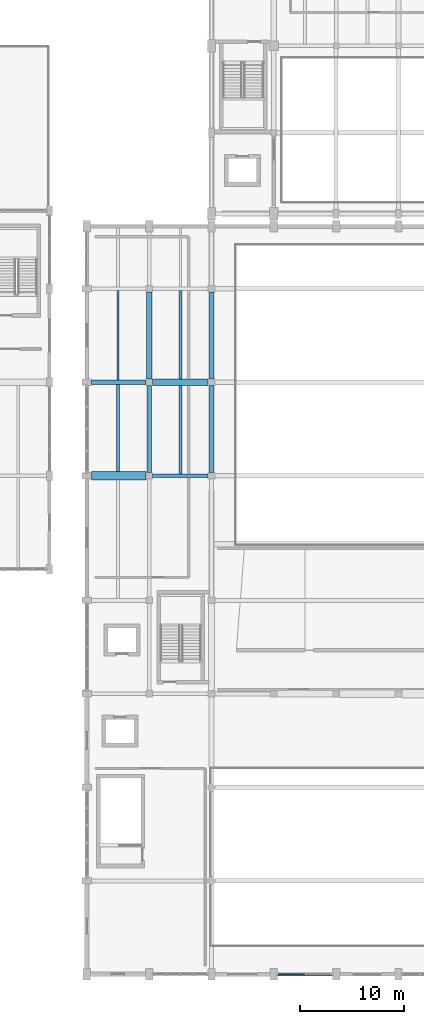
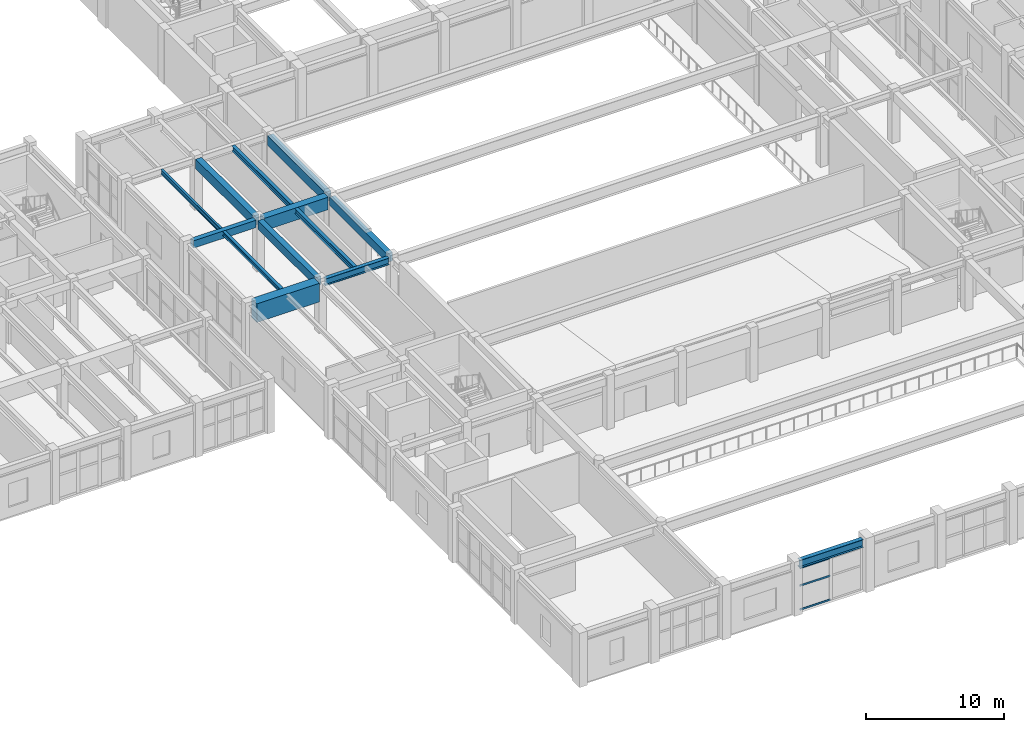
# One storey, part 19 of 80: 13 beams, 3 members, 1 element without a shape of its own.
"""IFC4 building model written with IfcOpenShell, lengths in metres."""

from ifc_helpers import new_model, si_unit, direction, frame, origin, origin_2d, place, context, subcontext, project, spatial, rectangle, hollow_rectangle, i_section, extrude, material, layer, layer_set, material_profile, profile_set, type_object, element, aggregate, save


model = new_model("IFC4")

# Units and contexts
model_context = context("Model", 3, precision=1e-05, world=origin(), true_north=direction((0.0, 1.0)))
body_context = subcontext(model_context, "Body", "Model", "MODEL_VIEW")
ifc_project = project(units=[si_unit("LENGTHUNIT", "METRE"), si_unit("AREAUNIT", "SQUARE_METRE"), si_unit("VOLUMEUNIT", "CUBIC_METRE"), si_unit("PLANEANGLEUNIT", "RADIAN"), si_unit("MASSUNIT", "GRAM", prefix="KILO")], contexts=[model_context])

# Site, building, storey
site_placement = place(None, origin())
site = spatial("IfcSite", under=ifc_project, at=site_placement, CompositionType="ELEMENT")
building_placement = place(site_placement, origin())
building = spatial("IfcBuilding", under=site, at=building_placement, Name="Vaelkrest Opera House", CompositionType="ELEMENT")
storey_placement = place(building_placement, frame((0.0, 0.0, 15.0)))
storey = spatial("IfcBuildingStorey", under=building, at=storey_placement, Name="L03", CompositionType="ELEMENT", Elevation=15.0)

# Beams
ifc_material_1 = material(Name="Concrete C50/60", Category="concrete")
ifc_material_profile_1 = material_profile(ifc_material_1, rectangle(XDim=0.39990234375, YDim=0.64990234375, at=origin_2d()), Name="RCB400X650")
ifc_profile_set_1 = profile_set([ifc_material_profile_1], Name="Concrete C50/60")
beam_type_1 = type_object("IfcBeamType", Name="B01", PredefinedType="BEAM", material=ifc_profile_set_1)
beam_1_placement = place(storey_placement, frame((-29.550048828125, 1.199951171875, 4.179931640625), z_axis=(1.0, 0.0, 0.0), x_axis=(0.0, 1.0, 0.0)))
element("IfcBeam", 1, at=beam_1_placement, inside=storey, type_object=beam_type_1, Name="Beam BM-V1-L03-0453", PredefinedType="BEAM", context=body_context, shape_type="SweptSolid", body=[
    extrude(rectangle(XDim=0.39990234375, YDim=0.64990234375, at=origin_2d()), origin(), (0.0, 0.0, 1.0), 5.22509765625),
])
ifc_material_profile_2 = material_profile(ifc_material_1, rectangle(XDim=0.449951171875, YDim=0.75, at=origin_2d()), Name="RCB450X750")
ifc_profile_set_2 = profile_set([ifc_material_profile_2], Name="Concrete C50/60")
beam_type_2 = type_object("IfcBeamType", Name="B02", PredefinedType="BEAM", material=ifc_profile_set_2)
for number, where, z_axis, x_axis, name in (
    (2, (-24.0, -7.47509765625, 4.1298828125), (0.0, 1.0, 0.0), (-1.0, 0.0, 0.0), "Beam BM-V1-L03-0483"),
    (3, (-18.0, -7.47509765625, 4.1298828125), (0.0, 1.0, 0.0), (-1.0, 0.0, 0.0), "Beam BM-V1-L03-0491"),
):
    element("IfcBeam", number, at=place(storey_placement, frame(where, z_axis=z_axis, x_axis=x_axis)), inside=storey, type_object=beam_type_2, Name=name, PredefinedType="BEAM", context=body_context, shape_type="SweptSolid", body=[
        extrude(rectangle(XDim=0.449951171875, YDim=0.75, at=origin_2d()), origin(), (0.0, 0.0, 1.0), 8.35009765625),
    ])
ifc_material_profile_3 = material_profile(ifc_material_1, rectangle(XDim=0.5, YDim=0.85009765625, at=origin_2d()), Name="RCB500X850")
ifc_profile_set_3 = profile_set([ifc_material_profile_3], Name="Concrete C50/60")
beam_type_3 = type_object("IfcBeamType", Name="B03", PredefinedType="BEAM", material=ifc_profile_set_3)
for number, where, z_axis, x_axis, name in (
    (4, (-24.0, 1.52490234375, 4.080078125), (0.0, 1.0, 0.0), (-1.0, 0.0, 0.0), "Beam BM-V1-L03-0484"),
    (5, (-18.0, 1.52490234375, 4.080078125), (0.0, 1.0, 0.0), (-1.0, 0.0, 0.0), "Beam BM-V1-L03-0492"),
):
    element("IfcBeam", number, at=place(storey_placement, frame(where, z_axis=z_axis, x_axis=x_axis)), inside=storey, type_object=beam_type_3, Name=name, PredefinedType="BEAM", context=body_context, shape_type="SweptSolid", body=[
        extrude(rectangle(XDim=0.5, YDim=0.85009765625, at=origin_2d()), origin(), (0.0, 0.0, 1.0), 8.35009765625),
    ])
ifc_material_profile_4 = material_profile(ifc_material_1, rectangle(XDim=0.60009765625, YDim=1.10009765625, at=origin_2d()), Name="RCB600X1100")
ifc_profile_set_4 = profile_set([ifc_material_profile_4], Name="Concrete C50/60")
beam_type_4 = type_object("IfcBeamType", Name="B05", PredefinedType="BEAM", material=ifc_profile_set_4)
beam_2_placement = place(storey_placement, frame((-23.675048828125, 1.199951171875, 3.955078125), z_axis=(1.0, 0.0, 0.0), x_axis=(0.0, 1.0, 0.0)))
element("IfcBeam", 6, at=beam_2_placement, inside=storey, type_object=beam_type_4, Name="Beam BM-V1-L03-0454", PredefinedType="BEAM", context=body_context, shape_type="SweptSolid", body=[
    extrude(rectangle(XDim=0.60009765625, YDim=1.10009765625, at=origin_2d()), origin(), (0.0, 0.0, 1.0), 5.35009765625),
])
ifc_material_profile_5 = material_profile(ifc_material_1, rectangle(XDim=0.800048828125, YDim=1.64990234375, at=origin_2d()), Name="RCB800X1650")
ifc_profile_set_5 = profile_set([ifc_material_profile_5], Name="Concrete C50/60")
beam_type_5 = type_object("IfcBeamType", Name="B07", PredefinedType="BEAM", material=ifc_profile_set_5)
beam_3_placement = place(storey_placement, frame((-29.550048828125, -7.800048828125, 3.679931640625), z_axis=(1.0, 0.0, 0.0), x_axis=(0.0, 1.0, 0.0)))
element("IfcBeam", 7, at=beam_3_placement, inside=storey, type_object=beam_type_5, Name="Beam BM-V1-L03-0448", PredefinedType="BEAM", context=body_context, shape_type="SweptSolid", body=[
    extrude(rectangle(XDim=0.800048828125, YDim=1.64990234375, at=origin_2d()), origin(), (0.0, 0.0, 1.0), 5.22509765625),
])
ifc_material_2 = material(Name="Steel A992 Gr50", Category="steel")
ifc_material_profile_6 = material_profile(ifc_material_2, i_section(OverallWidth=0.323974609375, OverallDepth=0.611083984375, WebThickness=0.0126953125, FlangeThickness=0.01904296875, at=origin_2d()), Name="W24X104")
ifc_profile_set_6 = profile_set([ifc_material_profile_6], Name="Steel A992 Gr50")
beam_type_6 = type_object("IfcBeamType", Name="B08", PredefinedType="BEAM", material=ifc_profile_set_6)
beam_4_placement = place(storey_placement, frame((-23.675048828125, -7.800048828125, 4.199462890625), z_axis=(1.0, 0.0, 0.0), x_axis=(0.0, 1.0, 0.0)))
element("IfcBeam", 8, at=beam_4_placement, inside=storey, type_object=beam_type_6, Name="Beam BM-V1-L03-0449", PredefinedType="BEAM", context=body_context, shape_type="SweptSolid", body=[
    extrude(i_section(OverallWidth=0.323974609375, OverallDepth=0.611083984375, WebThickness=0.0126953125, FlangeThickness=0.01904296875, at=origin_2d()), origin(), (0.0, 0.0, 1.0), 5.35009765625),
])

# Curtain wall, members
ifc_material_3 = material(Name="Dark bronze anodized aluminium", Category="aluminium")
ifc_layer = layer(ifc_material_3, 0.25)
ifc_layer_set = layer_set([ifc_layer], Name="Dark bronze anodized aluminium")
curtain_wall_type = type_object("IfcCurtainWallType", Name="CW08", PredefinedType="NOTDEFINED", material=ifc_layer_set)
curtain_wall_placement = place(storey_placement, origin())
curtain_wall = element("IfcCurtainWall", 9, at=curtain_wall_placement, inside=storey, type_object=curtain_wall_type, Name="Curtain wall CW-L03-045", PredefinedType="NOTDEFINED")
ifc_material_profile_7 = material_profile(ifc_material_3, hollow_rectangle(XDim=0.070068359375, YDim=0.14990234375, WallThickness=0.004150390625, at=origin_2d()), Name="CWT70X150")
ifc_profile_set_7 = profile_set([ifc_material_profile_7], Name="Dark bronze anodized aluminium")
member_type = type_object("IfcMemberType", Name="CWT02", PredefinedType="USERDEFINED", material=ifc_profile_set_7)
member_1_placement = place(storey_placement, frame((-9.0400390625, -55.800048828125, 0.034912109375), z_axis=(-1.0, 0.0, 0.0), x_axis=(0.0, -1.0, 0.0)))
member_1 = element("IfcMember", 10, at=member_1_placement, type_object=member_type, Name="CW08 transom 2.1", ObjectType="TRANSOM", PredefinedType="USERDEFINED", context=body_context, shape_type="SweptSolid", body=[
    extrude(hollow_rectangle(XDim=0.070068359375, YDim=0.14990234375, WallThickness=0.004150390625, at=origin_2d()), origin(), (0.0, 0.0, 1.0), 2.531982421875),
])
member_2_placement = place(storey_placement, frame((-9.0400390625, -55.800048828125, 2.14990234375), z_axis=(-1.0, 0.0, 0.0), x_axis=(0.0, -1.0, 0.0)))
member_2 = element("IfcMember", 11, at=member_2_placement, type_object=member_type, Name="CW08 transom 2.2", ObjectType="TRANSOM", PredefinedType="USERDEFINED", context=body_context, shape_type="SweptSolid", body=[
    extrude(hollow_rectangle(XDim=0.070068359375, YDim=0.14990234375, WallThickness=0.004150390625, at=origin_2d()), origin(), (0.0, 0.0, 1.0), 2.531982421875),
])
member_3_placement = place(storey_placement, frame((-9.0400390625, -55.800048828125, 3.7099609375), z_axis=(-1.0, 0.0, 0.0), x_axis=(0.0, -1.0, 0.0)))
member_3 = element("IfcMember", 12, at=member_3_placement, type_object=member_type, Name="CW08 transom 2.3", ObjectType="TRANSOM", PredefinedType="USERDEFINED", context=body_context, shape_type="SweptSolid", body=[
    extrude(hollow_rectangle(XDim=0.070068359375, YDim=0.14990234375, WallThickness=0.004150390625, at=origin_2d()), origin(), (0.0, 0.0, 1.0), 2.531982421875),
])
aggregate(curtain_wall, [member_1, member_2, member_3])

# Beams
ifc_material_profile_8 = material_profile(ifc_material_2, i_section(OverallWidth=0.257080078125, OverallDepth=0.363037109375, WebThickness=0.012939453125, FlangeThickness=0.021728515625, at=origin_2d()), Name="W14X82")
ifc_profile_set_8 = profile_set([ifc_material_profile_8], Name="Steel A992 Gr50")
beam_type_7 = type_object("IfcBeamType", Name="J06", PredefinedType="JOIST", material=ifc_profile_set_8)
beam_5_placement = place(storey_placement, frame((-27.0, -7.39990234375, 4.323486328125), z_axis=(0.0, 1.0, 0.0), x_axis=(-1.0, 0.0, 0.0)))
element("IfcBeam", 13, at=beam_5_placement, inside=storey, type_object=beam_type_7, Name="Floor joist JST-V1-L03-0516", PredefinedType="JOIST", context=body_context, shape_type="SweptSolid", body=[
    extrude(i_section(OverallWidth=0.257080078125, OverallDepth=0.363037109375, WebThickness=0.012939453125, FlangeThickness=0.021728515625, at=origin_2d()), origin(), (0.0, 0.0, 1.0), 8.39990234375),
])
ifc_material_profile_9 = material_profile(ifc_material_2, i_section(OverallWidth=0.180908203125, OverallDepth=0.4169921875, WebThickness=0.010986328125, FlangeThickness=0.018310546875, at=origin_2d()), Name="W16X57")
ifc_profile_set_9 = profile_set([ifc_material_profile_9], Name="Steel A992 Gr50")
beam_type_8 = type_object("IfcBeamType", Name="J07", PredefinedType="JOIST", material=ifc_profile_set_9)
beam_6_placement = place(storey_placement, frame((-27.0, 1.39990234375, 4.29638671875), z_axis=(0.0, 1.0, 0.0), x_axis=(-1.0, 0.0, 0.0)))
element("IfcBeam", 14, at=beam_6_placement, inside=storey, type_object=beam_type_8, Name="Floor joist JST-V1-L03-0517", PredefinedType="JOIST", context=body_context, shape_type="SweptSolid", body=[
    extrude(i_section(OverallWidth=0.180908203125, OverallDepth=0.4169921875, WebThickness=0.010986328125, FlangeThickness=0.018310546875, at=origin_2d()), origin(), (0.0, 0.0, 1.0), 8.635986328125),
])
ifc_material_profile_10 = material_profile(ifc_material_2, i_section(OverallWidth=0.280029296875, OverallDepth=0.462890625, WebThickness=0.0107421875, FlangeThickness=0.017333984375, at=origin_2d()), Name="W18X76")
ifc_profile_set_10 = profile_set([ifc_material_profile_10], Name="Steel A992 Gr50")
beam_type_9 = type_object("IfcBeamType", Name="J09", PredefinedType="JOIST", material=ifc_profile_set_10)
beam_7_placement = place(storey_placement, frame((-21.0, -7.637939453125, 4.2734375), z_axis=(0.0, 1.0, 0.0), x_axis=(-1.0, 0.0, 0.0)))
element("IfcBeam", 15, at=beam_7_placement, inside=storey, type_object=beam_type_9, Name="Floor joist JST-V1-L03-0519", PredefinedType="JOIST", context=body_context, shape_type="SweptSolid", body=[
    extrude(i_section(OverallWidth=0.280029296875, OverallDepth=0.462890625, WebThickness=0.0107421875, FlangeThickness=0.017333984375, at=origin_2d()), origin(), (0.0, 0.0, 1.0), 8.537841796875),
])
ifc_material_profile_11 = material_profile(ifc_material_2, i_section(OverallWidth=0.282958984375, OverallDepth=0.471923828125, WebThickness=0.013671875, FlangeThickness=0.022216796875, at=origin_2d()), Name="W18X97")
ifc_profile_set_11 = profile_set([ifc_material_profile_11], Name="Steel A992 Gr50")
beam_type_10 = type_object("IfcBeamType", Name="J10", PredefinedType="JOIST", material=ifc_profile_set_11)
beam_8_placement = place(storey_placement, frame((-21.0, 1.5, 4.26904296875), z_axis=(0.0, 1.0, 0.0), x_axis=(-1.0, 0.0, 0.0)))
element("IfcBeam", 16, at=beam_8_placement, inside=storey, type_object=beam_type_10, Name="Floor joist JST-V1-L03-0520", PredefinedType="JOIST", context=body_context, shape_type="SweptSolid", body=[
    extrude(i_section(OverallWidth=0.282958984375, OverallDepth=0.471923828125, WebThickness=0.013671875, FlangeThickness=0.022216796875, at=origin_2d()), origin(), (0.0, 0.0, 1.0), 8.53662109375),
])
ifc_material_profile_12 = material_profile(ifc_material_2, i_section(OverallWidth=0.35498046875, OverallDepth=0.695068359375, WebThickness=0.015380859375, FlangeThickness=0.02490234375, at=origin_2d()), Name="W27X146")
ifc_profile_set_12 = profile_set([ifc_material_profile_12], Name="Steel A992 Gr50")
beam_type_11 = type_object("IfcBeamType", Name="SP02", PredefinedType="SPANDREL", material=ifc_profile_set_12)
beam_9_placement = place(storey_placement, frame((-11.64990234375, -55.800048828125, 4.157470703125), z_axis=(1.0, 0.0, 0.0), x_axis=(0.0, 1.0, 0.0)))
element("IfcBeam", 17, at=beam_9_placement, inside=storey, type_object=beam_type_11, Name="Beam BM-V1-L03-0424", PredefinedType="SPANDREL", context=body_context, shape_type="SweptSolid", body=[
    extrude(i_section(OverallWidth=0.35498046875, OverallDepth=0.695068359375, WebThickness=0.015380859375, FlangeThickness=0.02490234375, at=origin_2d()), origin(), (0.0, 0.0, 1.0), 5.2998046875),
])

save(model, "model.ifc")
